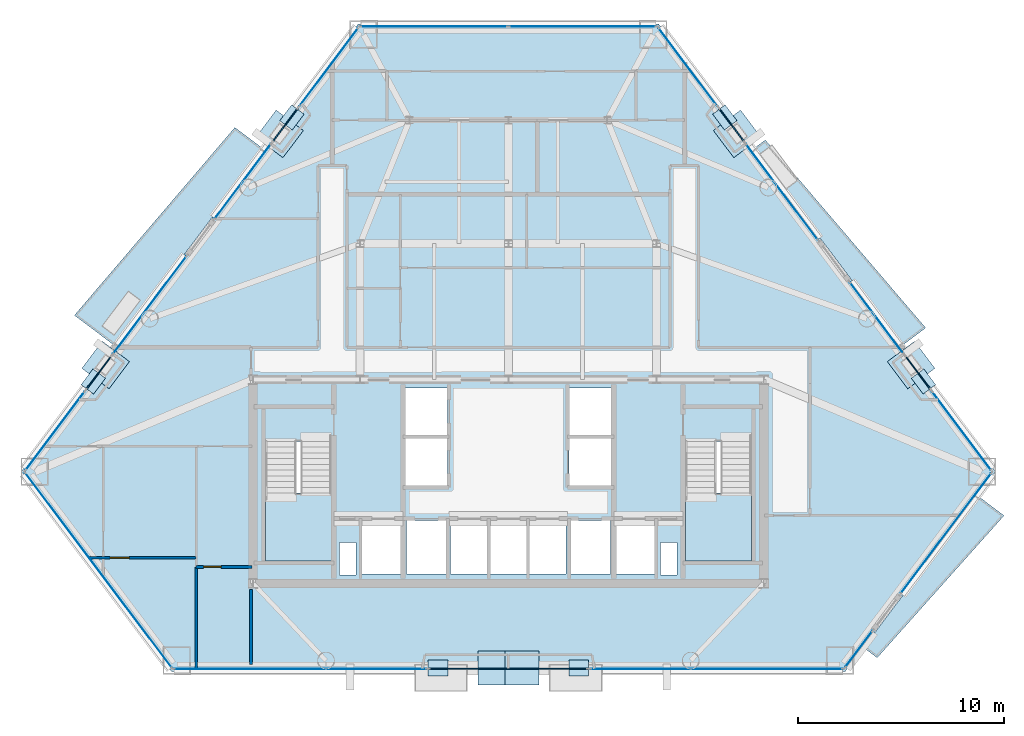
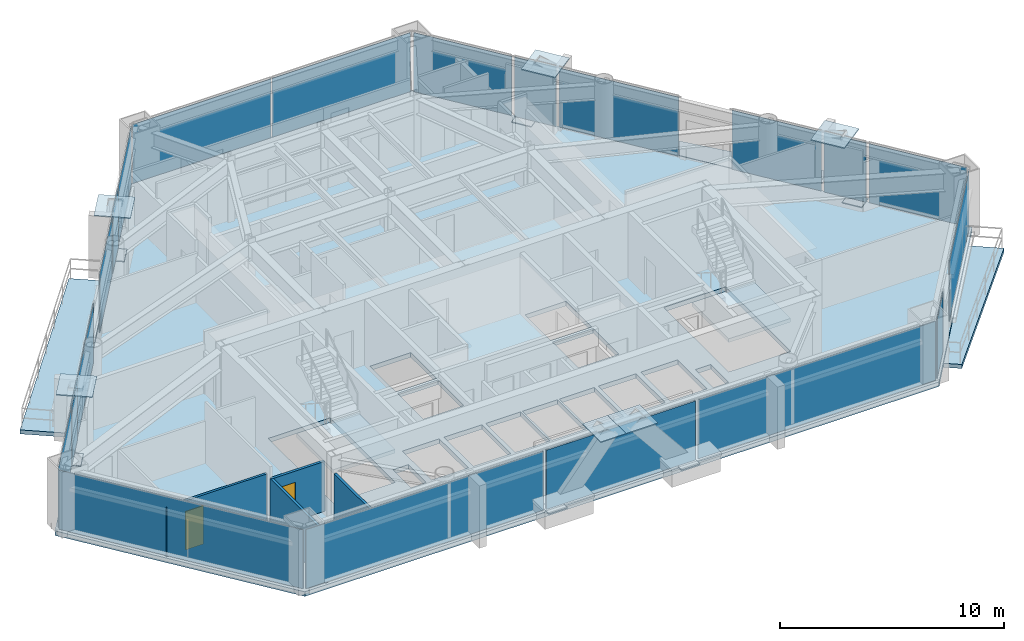
# One storey, part 5 of 11: 32 plates, 6 slabs, 4 walls, 2 doors, 2 openings, 21 elements without a shape of their own.
"""IFC4 building model written with IfcOpenShell, lengths in metres."""

from ifc_helpers import new_model, si_unit, direction, frame, frame_2d, origin, origin_2d, place, context, subcontext, project, spatial, polyline, rectangle, outline, extrude, source, transform, mapped, material, layer, layer_set, type_object, type_shapes, element, fill, aggregate, save


model = new_model("IFC4")

# Units and contexts
model_context = context("Model", 3, precision=1e-05, world=origin(), true_north=direction((0.0, 1.0)))
body_context = subcontext(model_context, "Body", "Model", "MODEL_VIEW")
ifc_project = project(units=[si_unit("LENGTHUNIT", "METRE"), si_unit("AREAUNIT", "SQUARE_METRE"), si_unit("VOLUMEUNIT", "CUBIC_METRE"), si_unit("PLANEANGLEUNIT", "RADIAN"), si_unit("MASSUNIT", "GRAM", prefix="KILO")], contexts=[model_context])

# Site, building, storey
site_placement = place(None, origin())
site = spatial("IfcSite", under=ifc_project, at=site_placement, CompositionType="ELEMENT")
building_placement = place(site_placement, origin())
building = spatial("IfcBuilding", under=site, at=building_placement, Name="Talgorran Terracotta Tower", CompositionType="ELEMENT")
storey_placement = place(building_placement, frame((0.0, 0.0, 72.0)))
storey = spatial("IfcBuildingStorey", under=building, at=storey_placement, Name="L18", CompositionType="ELEMENT", Elevation=72.0)

# Plates
ifc_material_1 = material(Name="Steel Grade 350 (350L0)", Category="steel")
ifc_layer_1 = layer(ifc_material_1, 0.0400390625, Name="PL_CAP_MN05")
ifc_layer_set_1 = layer_set([ifc_layer_1], Name="Steel Grade 350 (350L0)")
plate_type_1 = type_object("IfcPlateType", Name="PL_CAP_MN05", PredefinedType="USERDEFINED", material=ifc_layer_set_1)
for number, where, z_axis, x_axis, name in (
    (1, (-3.419189453125, -18.206787109375, -0.010009765625), (0.0, 0.0, 1.0), (1.0, 0.0, 0.0), "L18 Diagonal Frame End Cap SWF Bot"),
    (2, (3.419189453125, -18.206787109375, -0.010009765625), (0.0, 0.0, 1.0), (-1.0, 0.0, 0.0), "L18 Diagonal Frame End Cap SEF Bot"),
    (3, (20.15869140625, -4.291015625, -0.010009765625), (0.0, 0.0, 1.0), (-0.601257323772, 0.799055461536, 0.0), "L18 Diagonal Frame End Cap NEL Bot"),
    (4, (10.51123046875, 8.531005859375, -0.010009765625), (0.0, 0.0, 1.0), (0.601257323772, -0.799055461536, 0.0), "L18 Diagonal Frame End Cap NEU Bot"),
    (5, (-10.51123046875, 8.531005859375, -0.010009765625), (0.0, 0.0, 1.0), (-0.601257323772, -0.799055461536, 0.0), "L18 Diagonal Frame End Cap NWU Bot"),
    (6, (-20.15869140625, -4.291015625, -0.010009765625), (0.0, 0.0, 1.0), (0.601257323772, 0.799055461536, 0.0), "L18 Diagonal Frame End Cap NWL Bot"),
):
    element("IfcPlate", number, at=place(storey_placement, frame(where, z_axis=z_axis, x_axis=x_axis)), inside=storey, type_object=plate_type_1, Name=name, ObjectType="CAP PLATE", PredefinedType="USERDEFINED", context=body_context, shape_type="SweptSolid", body=[
        extrude(rectangle(XDim=0.9599609375, YDim=0.760009765625, at=origin_2d()), origin(), (0.0, 0.0, 1.0), 0.0400390625),
    ])
ifc_layer_2 = layer(ifc_material_1, 0.06005859375, Name="PL_NODE_MN01")
ifc_layer_set_2 = layer_set([ifc_layer_2], Name="Steel Grade 350 (350L0)")
plate_type_2 = type_object("IfcPlateType", Name="PL_NODE_MN01", PredefinedType="USERDEFINED", material=ifc_layer_set_2)
for number, where, z_axis, x_axis, name in (
    (7, (-0.6513671875, -18.206787109375, 3.31005859375), (0.0, 0.0, 1.0), (1.0, 0.0, 0.0), "L18 Diagonal Frame End Cap SWF Top"),
    (8, (0.6513671875, -18.206787109375, 3.31005859375), (0.0, 0.0, 1.0), (-1.0, 0.0, 0.0), "L18 Diagonal Frame End Cap SEF Top"),
    (9, (19.557861328125, -3.4921875, 3.31005859375), (0.0, 0.0, 1.0), (-0.601257323772, 0.799055461536, 0.0), "L18 Diagonal Frame End Cap NEL Top"),
    (10, (11.1123046875, 7.732421875, 3.31005859375), (0.0, 0.0, 1.0), (0.601257323772, -0.799055461536, 0.0), "L18 Diagonal Frame End Cap NEU Top"),
    (11, (-11.1123046875, 7.732421875, 3.31005859375), (0.0, 0.0, 1.0), (-0.601257323772, -0.799055461536, 0.0), "L18 Diagonal Frame End Cap NWU Top"),
    (12, (-19.557861328125, -3.4921875, 3.31005859375), (0.0, 0.0, 1.0), (0.601257323772, 0.799055461536, 0.0), "L18 Diagonal Frame End Cap NWL Top"),
):
    element("IfcPlate", number, at=place(storey_placement, frame(where, z_axis=z_axis, x_axis=x_axis)), inside=storey, type_object=plate_type_2, Name=name, ObjectType="NODE PLATE", PredefinedType="USERDEFINED", context=body_context, shape_type="SweptSolid", body=[
        extrude(rectangle(XDim=1.64990234375, YDim=1.64990234375, at=origin_2d()), origin(), (0.0, 0.0, 1.0), 0.06005859375),
    ])

# Slabs
ifc_material_2 = material(Name="Concrete C40/50", Category="concrete")
ifc_layer_3 = layer(ifc_material_2, 0.219970703125, Name="SL_BALCONY_220")
ifc_layer_set_3 = layer_set([ifc_layer_3], Name="Concrete C40/50")
slab_type_1 = type_object("IfcSlabType", Name="SL_BALCONY_220", PredefinedType="FLOOR", material=ifc_layer_set_3)
slab_1_placement = place(storey_placement, frame((0.0, 0.0, -0.219970703125)))
element("IfcSlab", 13, at=slab_1_placement, inside=storey, type_object=slab_type_1, Name="L18 Outdoor Wave Balcony BAL-NE", PredefinedType="FLOOR", context=body_context, shape_type="SweptSolid", body=[
    extrude(outline(polyline([(11.88720703125, 6.9931640625), (19.086669921875, -2.574951171875), (20.2646484375, -1.688720703125), (12.4736328125, 7.43408203125), (11.88720703125, 6.9931640625)])), origin(), (0.0, 0.0, 1.0), 0.219970703125),
])
slab_2_placement = place(storey_placement, frame((0.0, 0.0, -0.219970703125)))
element("IfcSlab", 14, at=slab_2_placement, inside=storey, type_object=slab_type_1, Name="L18 Outdoor Wave Balcony BAL-NW", PredefinedType="FLOOR", context=body_context, shape_type="SweptSolid", body=[
    extrude(outline(polyline([(-19.086669921875, -2.574951171875), (-11.88720703125, 6.9931640625), (-13.2822265625, 8.04248046875), (-21.0732421875, -1.080078125), (-19.086669921875, -2.574951171875)])), origin(), (0.0, 0.0, 1.0), 0.219970703125),
])
slab_3_placement = place(storey_placement, frame((0.0, 0.0, -0.219970703125)))
element("IfcSlab", 15, at=slab_3_placement, inside=storey, type_object=slab_type_1, Name="L18 Outdoor Wave Balcony BAL-SE", PredefinedType="FLOOR", context=body_context, shape_type="SweptSolid", body=[
    extrude(outline(polyline([(22.792724609375, -9.84521484375), (17.249267578125, -17.21240234375), (17.9091796875, -17.708984375), (24.069580078125, -10.805908203125), (22.792724609375, -9.84521484375)])), origin(), (0.0, 0.0, 1.0), 0.219970703125),
])

# Stair, slab
stair_type = type_object("IfcStairType", Name="ST_FIRE_SCISSOR", PredefinedType="HALF_TURN_STAIR", material=ifc_material_2)
stair_1_placement = place(storey_placement, origin())
stair_1 = element("IfcStair", 16, at=stair_1_placement, inside=storey, type_object=stair_type, Name="L18 West Protected Fire Stair ST-01", PredefinedType="HALF_TURN_STAIR")
ifc_layer_4 = layer(ifc_material_2, 0.199951171875, Name="SL_LANDING_200")
ifc_layer_set_4 = layer_set([ifc_layer_4], Name="Concrete C40/50")
slab_type_2 = type_object("IfcSlabType", Name="SL_LANDING_200", PredefinedType="LANDING", material=ifc_layer_set_4)
slab_4_placement = place(storey_placement, frame((0.0, 0.0, 1.60009765625)))
slab_4 = element("IfcSlab", 17, at=slab_4_placement, type_object=slab_type_2, Name="ST-01 landing 1", PredefinedType="LANDING", context=body_context, shape_type="SweptSolid", body=[
    extrude(outline(polyline([(-11.800048828125, -9.719970703125), (-11.800048828125, -13.0), (-8.60009765625, -13.0), (-8.60009765625, -9.719970703125), (-11.800048828125, -9.719970703125)])), origin(), (0.0, 0.0, 1.0), 0.199951171875),
])
aggregate(stair_1, [slab_4])

stair_2_placement = place(storey_placement, origin())
stair_2 = element("IfcStair", 18, at=stair_2_placement, inside=storey, type_object=stair_type, Name="L18 East Protected Fire Stair ST-02", PredefinedType="HALF_TURN_STAIR")
slab_5_placement = place(storey_placement, frame((0.0, 0.0, 1.60009765625)))
slab_5 = element("IfcSlab", 19, at=slab_5_placement, type_object=slab_type_2, Name="ST-02 landing 1", PredefinedType="LANDING", context=body_context, shape_type="SweptSolid", body=[
    extrude(outline(polyline([(8.60009765625, -9.719970703125), (8.60009765625, -13.0), (11.800048828125, -13.0), (11.800048828125, -9.719970703125), (8.60009765625, -9.719970703125)])), origin(), (0.0, 0.0, 1.0), 0.199951171875),
])
aggregate(stair_2, [slab_5])

# Slab
ifc_layer_5 = layer(ifc_material_2, 0.264892578125, Name="SL_TOWER_265")
ifc_layer_set_5 = layer_set([ifc_layer_5], Name="Concrete C40/50")
slab_type_3 = type_object("IfcSlabType", Name="SL_TOWER_265", PredefinedType="FLOOR", material=ifc_layer_set_5)
slab_6_placement = place(storey_placement, frame((0.0, 0.0, -0.25)))
element("IfcSlab", 20, at=slab_6_placement, inside=storey, type_object=slab_type_3, Name="Storey L18 Structural Floor Slab", PredefinedType="FLOOR", context=body_context, shape_type="SweptSolid", body=[
    extrude(outline(polyline([(-23.656005859375, -8.6728515625), (-16.362060546875, -18.36669921875), (16.362060546875, -18.36669921875), (23.656005859375, -8.6728515625), (7.2939453125, 13.07275390625), (-7.2939453125, 13.07275390625), (-23.656005859375, -8.6728515625)]), holes=[polyline([(-11.800048828125, -7.199951171875), (-11.800048828125, -13.0), (-8.60009765625, -13.0), (-8.60009765625, -7.199951171875), (-11.800048828125, -7.199951171875)]), polyline([(8.60009765625, -7.199951171875), (8.60009765625, -13.0), (11.800048828125, -13.0), (11.800048828125, -7.199951171875), (8.60009765625, -7.199951171875)]), polyline([(-7.10009765625, -13.64990234375), (-5.199951171875, -13.64990234375), (-5.199951171875, -11.050048828125), (-7.10009765625, -11.050048828125), (-7.10009765625, -13.64990234375)]), polyline([(5.199951171875, -13.64990234375), (7.10009765625, -13.64990234375), (7.10009765625, -11.050048828125), (5.199951171875, -11.050048828125), (5.199951171875, -13.64990234375)]), polyline([(3.0, -13.64990234375), (4.949951171875, -13.64990234375), (4.949951171875, -11.050048828125), (3.0, -11.050048828125), (3.0, -13.64990234375)]), polyline([(-4.949951171875, -13.64990234375), (-3.0, -13.64990234375), (-3.0, -11.050048828125), (-4.949951171875, -11.050048828125), (-4.949951171875, -13.64990234375)]), polyline([(-5.050048828125, -9.35009765625), (-2.949951171875, -9.35009765625), (-2.949951171875, -7.050048828125), (-5.050048828125, -7.050048828125), (-5.050048828125, -9.35009765625)]), polyline([(-5.050048828125, -6.89990234375), (-2.949951171875, -6.89990234375), (-2.949951171875, -4.60009765625), (-5.050048828125, -4.60009765625), (-5.050048828125, -6.89990234375)]), polyline([(2.949951171875, -9.35009765625), (5.050048828125, -9.35009765625), (5.050048828125, -7.050048828125), (2.949951171875, -7.050048828125), (2.949951171875, -9.35009765625)]), polyline([(2.949951171875, -6.89990234375), (5.050048828125, -6.89990234375), (5.050048828125, -4.60009765625), (2.949951171875, -4.60009765625), (2.949951171875, -6.89990234375)]), polyline([(-2.800048828125, -13.64990234375), (-1.0, -13.64990234375), (-1.0, -11.050048828125), (-2.800048828125, -11.050048828125), (-2.800048828125, -13.64990234375)]), polyline([(-0.89990234375, -13.64990234375), (0.89990234375, -13.64990234375), (0.89990234375, -11.050048828125), (-0.89990234375, -11.050048828125), (-0.89990234375, -13.64990234375)]), polyline([(1.0, -13.64990234375), (2.800048828125, -13.64990234375), (2.800048828125, -11.050048828125), (1.0, -11.050048828125), (1.0, -13.64990234375)]), polyline([(-8.199951171875, -13.699951171875), (-7.39990234375, -13.699951171875), (-7.39990234375, -12.10009765625), (-8.199951171875, -12.10009765625), (-8.199951171875, -13.699951171875)]), polyline([(7.39990234375, -13.699951171875), (8.199951171875, -13.699951171875), (8.199951171875, -12.10009765625), (7.39990234375, -12.10009765625), (7.39990234375, -13.699951171875)])]), origin(), (0.0, 0.0, 1.0), 0.25),
])

# Curtain wall, plate
ifc_material_3 = material(Name="Unitised Low-E Double Glazing", Category="glass")
ifc_layer_6 = layer(ifc_material_3, 0.199951171875, Name="CW_SYS2_RES_LOW")
ifc_layer_set_6 = layer_set([ifc_layer_6], Name="Unitised Low-E Double Glazing")
curtain_wall_type = type_object("IfcCurtainWallType", Name="CW_SYS2_RES_LOW", PredefinedType="NOTDEFINED", material=ifc_layer_set_6)
curtain_wall_1_placement = place(storey_placement, origin())
curtain_wall_1 = element("IfcCurtainWall", 21, at=curtain_wall_1_placement, inside=storey, type_object=curtain_wall_type, Name="CW-L18-F0", PredefinedType="NOTDEFINED")
ifc_material_4 = material(Name="Low-E Laminated Vision Glass", Category="glass")
ifc_layer_7 = layer(ifc_material_4, 0.028076171875, Name="PLT_VISION_28")
ifc_layer_set_7 = layer_set([ifc_layer_7], Name="Low-E Laminated Vision Glass")
plate_type_3 = type_object("IfcPlateType", Name="PLT_VISION_28", PredefinedType="CURTAIN_PANEL", material=ifc_layer_set_7)
shared_shape_1 = source(origin(), body_context, "Body", "SweptSolid", [
    extrude(rectangle(XDim=11.851318359375, YDim=0.028076171875, at=origin_2d()), origin(), (0.0, 0.0, 1.0), 3.219970703125),
])
plate_1_placement = place(storey_placement, frame((-19.904052734375, -13.459716796875, 0.06494140625), z_axis=(0.0, 0.0, 1.0), x_axis=(0.601242540556, -0.799066585102, 0.0)))
plate_1 = element("IfcPlate", 22, at=plate_1_placement, type_object=plate_type_3, Name="CW-L18-0 panel 1.1", PredefinedType="CURTAIN_PANEL", context=body_context, shape_type="MappedRepresentation", body=[
    mapped(shared_shape_1, transform((0.0, 0.0, 0.0), scale=1.0)),
])
aggregate(curtain_wall_1, [plate_1])

curtain_wall_2_placement = place(storey_placement, origin())
curtain_wall_2 = element("IfcCurtainWall", 23, at=curtain_wall_2_placement, inside=storey, type_object=curtain_wall_type, Name="CW-L18-F40B", PredefinedType="NOTDEFINED")
ifc_material_5 = material(Name="Terracotta Insulated Spandrel", Category="masonry")
ifc_layer_8 = layer(ifc_material_5, 0.06494140625, Name="PLT_SPANDREL_TERRA")
ifc_layer_set_8 = layer_set([ifc_layer_8], Name="Terracotta Insulated Spandrel")
plate_type_4 = type_object("IfcPlateType", Name="PLT_SPANDREL_TERRA", PredefinedType="SHEET", material=ifc_layer_set_8)
shared_shape_2 = source(origin(), body_context, "Body", "SweptSolid", [
    extrude(rectangle(XDim=2.02294921875, YDim=0.06494140625, at=origin_2d()), origin(), (0.0, 0.0, 1.0), 3.219970703125),
])
plate_2_placement = place(storey_placement, frame((19.89013671875, -3.86767578125, 0.06494140625), z_axis=(0.0, 0.0, 1.0), x_axis=(-0.601247746727, 0.79906266779, 0.0)))
plate_2 = element("IfcPlate", 24, at=plate_2_placement, type_object=plate_type_4, Name="CW-L18-40B panel 1.1", PredefinedType="CURTAIN_PANEL", context=body_context, shape_type="MappedRepresentation", body=[
    mapped(shared_shape_2, transform((0.0, 0.0, 0.0), scale=1.0)),
])
aggregate(curtain_wall_2, [plate_2])

curtain_wall_3_placement = place(storey_placement, origin())
curtain_wall_3 = element("IfcCurtainWall", 25, at=curtain_wall_3_placement, inside=storey, type_object=curtain_wall_type, Name="CW-L18-F41B", PredefinedType="NOTDEFINED")
plate_3_placement = place(storey_placement, frame((10.84375, 8.155517578125, 0.06494140625), z_axis=(0.0, 0.0, 1.0), x_axis=(-0.601247746727, 0.79906266779, 0.0)))
plate_3 = element("IfcPlate", 26, at=plate_3_placement, type_object=plate_type_4, Name="CW-L18-41B panel 1.1", PredefinedType="CURTAIN_PANEL", context=body_context, shape_type="MappedRepresentation", body=[
    mapped(shared_shape_2, transform((0.0, 0.0, 0.0), scale=1.0)),
])
aggregate(curtain_wall_3, [plate_3])

curtain_wall_4_placement = place(storey_placement, origin())
curtain_wall_4 = element("IfcCurtainWall", 27, at=curtain_wall_4_placement, inside=storey, type_object=curtain_wall_type, Name="CW-L18-F60B", PredefinedType="NOTDEFINED")
plate_4_placement = place(storey_placement, frame((-10.843505859375, 8.155517578125, 0.06494140625), z_axis=(0.0, 0.0, 1.0), x_axis=(-0.601218089449, -0.799084982289, 0.0)))
plate_4 = element("IfcPlate", 28, at=plate_4_placement, type_object=plate_type_4, Name="CW-L18-60B panel 1.1", PredefinedType="CURTAIN_PANEL", context=body_context, shape_type="MappedRepresentation", body=[
    mapped(shared_shape_2, transform((0.0, 0.0, 0.0), scale=1.0)),
])
aggregate(curtain_wall_4, [plate_4])

curtain_wall_5_placement = place(storey_placement, origin())
curtain_wall_5 = element("IfcCurtainWall", 29, at=curtain_wall_5_placement, inside=storey, type_object=curtain_wall_type, Name="CW-L18-F61B", PredefinedType="NOTDEFINED")
plate_5_placement = place(storey_placement, frame((-19.89013671875, -3.86767578125, 0.06494140625), z_axis=(0.0, 0.0, 1.0), x_axis=(-0.601247746727, -0.79906266779, 0.0)))
plate_5 = element("IfcPlate", 30, at=plate_5_placement, type_object=plate_type_4, Name="CW-L18-61B panel 1.1", PredefinedType="CURTAIN_PANEL", context=body_context, shape_type="MappedRepresentation", body=[
    mapped(shared_shape_2, transform((0.0, 0.0, 0.0), scale=1.0)),
])
aggregate(curtain_wall_5, [plate_5])

# Curtain wall, plates
curtain_wall_6_placement = place(storey_placement, origin())
curtain_wall_6 = element("IfcCurtainWall", 31, at=curtain_wall_6_placement, inside=storey, type_object=curtain_wall_type, Name="CW-L18-F4", PredefinedType="NOTDEFINED")
shared_shape_3 = source(origin(), body_context, "Body", "SweptSolid", [
    extrude(rectangle(XDim=7.13671875, YDim=0.028076171875, at=origin_2d()), origin(), (0.0, 0.0, 1.0), 3.219970703125),
])
plate_6_placement = place(storey_placement, frame((3.600830078125, 12.952880859375, 0.06494140625), z_axis=(0.0, 0.0, 1.0), x_axis=(-1.0, 0.0, 0.0)))
plate_6 = element("IfcPlate", 32, at=plate_6_placement, type_object=plate_type_3, Name="CW-L18-4 panel 1.1", PredefinedType="CURTAIN_PANEL", context=body_context, shape_type="MappedRepresentation", body=[
    mapped(shared_shape_3, transform((0.0, 0.0, 0.0), scale=1.0)),
])
plate_7_placement = place(storey_placement, frame((-3.600830078125, 12.952880859375, 0.06494140625), z_axis=(0.0, 0.0, 1.0), x_axis=(-1.0, 0.0, 0.0)))
plate_7 = element("IfcPlate", 33, at=plate_7_placement, type_object=plate_type_3, Name="CW-L18-4 panel 2.1", PredefinedType="CURTAIN_PANEL", context=body_context, shape_type="MappedRepresentation", body=[
    mapped(shared_shape_3, transform((0.0, 0.0, 0.0), scale=1.0)),
])
aggregate(curtain_wall_6, [plate_6, plate_7])

# Curtain wall, plate
curtain_wall_7_placement = place(storey_placement, origin())
curtain_wall_7 = element("IfcCurtainWall", 34, at=curtain_wall_7_placement, inside=storey, type_object=curtain_wall_type, Name="CW-L18-F1", PredefinedType="NOTDEFINED")
shared_shape_4 = source(origin(), body_context, "Body", "SweptSolid", [
    extrude(rectangle(XDim=12.248779296875, YDim=0.028076171875, at=origin_2d()), origin(), (0.0, 0.0, 1.0), 3.219970703125),
])
plate_8_placement = place(storey_placement, frame((-10.11279296875, -18.24658203125, 0.06494140625), z_axis=(0.0, 0.0, 1.0), x_axis=(1.0, 0.0, 0.0)))
plate_8 = element("IfcPlate", 35, at=plate_8_placement, type_object=plate_type_3, Name="CW-L18-1 panel 1.1", PredefinedType="CURTAIN_PANEL", context=body_context, shape_type="MappedRepresentation", body=[
    mapped(shared_shape_4, transform((0.0, 0.0, 0.0), scale=1.0)),
])
aggregate(curtain_wall_7, [plate_8])

curtain_wall_8_placement = place(storey_placement, origin())
curtain_wall_8 = element("IfcCurtainWall", 36, at=curtain_wall_8_placement, inside=storey, type_object=curtain_wall_type, Name="CW-L18-F1C", PredefinedType="NOTDEFINED")
plate_9_placement = place(storey_placement, frame((10.11279296875, -18.24658203125, 0.06494140625), z_axis=(0.0, 0.0, 1.0), x_axis=(1.0, 0.0, 0.0)))
plate_9 = element("IfcPlate", 37, at=plate_9_placement, type_object=plate_type_3, Name="CW-L18-1C panel 1.1", PredefinedType="CURTAIN_PANEL", context=body_context, shape_type="MappedRepresentation", body=[
    mapped(shared_shape_4, transform((0.0, 0.0, 0.0), scale=1.0)),
])
aggregate(curtain_wall_8, [plate_9])

curtain_wall_9_placement = place(storey_placement, origin())
curtain_wall_9 = element("IfcCurtainWall", 38, at=curtain_wall_9_placement, inside=storey, type_object=curtain_wall_type, Name="CW-L18-F1B", PredefinedType="NOTDEFINED")
shared_shape_5 = source(origin(), body_context, "Body", "SweptSolid", [
    extrude(rectangle(XDim=7.696533203125, YDim=0.06494140625, at=origin_2d()), origin(), (0.0, 0.0, 1.0), 3.219970703125),
])
type_shapes(plate_type_4, [shared_shape_2, shared_shape_5])
plate_10_placement = place(storey_placement, frame((0.0, -18.24658203125, 0.06494140625), z_axis=(0.0, 0.0, 1.0), x_axis=(1.0, 0.0, 0.0)))
plate_10 = element("IfcPlate", 39, at=plate_10_placement, type_object=plate_type_4, Name="CW-L18-1B panel 1.1", PredefinedType="CURTAIN_PANEL", context=body_context, shape_type="MappedRepresentation", body=[
    mapped(shared_shape_5, transform((0.0, 0.0, 0.0), scale=1.0)),
])
aggregate(curtain_wall_9, [plate_10])

curtain_wall_10_placement = place(storey_placement, origin())
curtain_wall_10 = element("IfcCurtainWall", 40, at=curtain_wall_10_placement, inside=storey, type_object=curtain_wall_type, Name="CW-L18-F30", PredefinedType="NOTDEFINED")
shared_shape_6 = source(origin(), body_context, "Body", "SweptSolid", [
    extrude(rectangle(XDim=2.18359375, YDim=0.028076171875, at=origin_2d()), origin(), (0.0, 0.0, 1.0), 3.219970703125),
])
plate_11_placement = place(storey_placement, frame((17.021484375, -17.290283203125, 0.06494140625), z_axis=(0.0, 0.0, 1.0), x_axis=(0.601257965601, 0.799054978585, 0.0)))
plate_11 = element("IfcPlate", 41, at=plate_11_placement, type_object=plate_type_3, Name="CW-L18-30 panel 1.1", PredefinedType="CURTAIN_PANEL", context=body_context, shape_type="MappedRepresentation", body=[
    mapped(shared_shape_6, transform((0.0, 0.0, 0.0), scale=1.0)),
])
aggregate(curtain_wall_10, [plate_11])

curtain_wall_11_placement = place(storey_placement, origin())
curtain_wall_11 = element("IfcCurtainWall", 42, at=curtain_wall_11_placement, inside=storey, type_object=curtain_wall_type, Name="CW-L18-F31", PredefinedType="NOTDEFINED")
shared_shape_7 = source(origin(), body_context, "Body", "SweptSolid", [
    extrude(rectangle(XDim=7.2978515625, YDim=0.028076171875, at=origin_2d()), origin(), (0.0, 0.0, 1.0), 3.219970703125),
])
plate_12_placement = place(storey_placement, frame((21.248779296875, -11.67236328125, 0.06494140625), z_axis=(0.0, 0.0, 1.0), x_axis=(0.601250772116, 0.799060391354, 0.0)))
plate_12 = element("IfcPlate", 43, at=plate_12_placement, type_object=plate_type_3, Name="CW-L18-31 panel 1.1", PredefinedType="CURTAIN_PANEL", context=body_context, shape_type="MappedRepresentation", body=[
    mapped(shared_shape_7, transform((0.0, 0.0, 0.0), scale=1.0)),
])
aggregate(curtain_wall_11, [plate_12])

curtain_wall_12_placement = place(storey_placement, origin())
curtain_wall_12 = element("IfcCurtainWall", 44, at=curtain_wall_12_placement, inside=storey, type_object=curtain_wall_type, Name="CW-L18-F40", PredefinedType="NOTDEFINED")
shared_shape_8 = source(origin(), body_context, "Body", "SweptSolid", [
    extrude(rectangle(XDim=4.757080078125, YDim=0.028076171875, at=origin_2d()), origin(), (0.0, 0.0, 1.0), 3.219970703125),
])
plate_13_placement = place(storey_placement, frame((22.0126953125, -6.688232421875, 0.06494140625), z_axis=(0.0, 0.0, 1.0), x_axis=(-0.601240104615, 0.799068417973, 0.0)))
plate_13 = element("IfcPlate", 45, at=plate_13_placement, type_object=plate_type_3, Name="CW-L18-40 panel 1.1", PredefinedType="CURTAIN_PANEL", context=body_context, shape_type="MappedRepresentation", body=[
    mapped(shared_shape_8, transform((0.0, 0.0, 0.0), scale=1.0)),
])
aggregate(curtain_wall_12, [plate_13])

curtain_wall_13_placement = place(storey_placement, origin())
curtain_wall_13 = element("IfcCurtainWall", 46, at=curtain_wall_13_placement, inside=storey, type_object=curtain_wall_type, Name="CW-L18-F61C", PredefinedType="NOTDEFINED")
plate_14_placement = place(storey_placement, frame((-22.0126953125, -6.688232421875, 0.06494140625), z_axis=(0.0, 0.0, 1.0), x_axis=(-0.601249935411, -0.799061020929, 0.0)))
plate_14 = element("IfcPlate", 47, at=plate_14_placement, type_object=plate_type_3, Name="CW-L18-61C panel 1.1", PredefinedType="CURTAIN_PANEL", context=body_context, shape_type="MappedRepresentation", body=[
    mapped(shared_shape_8, transform((0.0, 0.0, 0.0), scale=1.0)),
])
aggregate(curtain_wall_13, [plate_14])

curtain_wall_14_placement = place(storey_placement, origin())
curtain_wall_14 = element("IfcCurtainWall", 48, at=curtain_wall_14_placement, inside=storey, type_object=curtain_wall_type, Name="CW-L18-F40C", PredefinedType="NOTDEFINED")
shared_shape_9 = source(origin(), body_context, "Body", "SweptSolid", [
    extrude(rectangle(XDim=4.34326171875, YDim=0.028076171875, at=origin_2d()), origin(), (0.0, 0.0, 1.0), 3.219970703125),
])
plate_15_placement = place(storey_placement, frame((17.892333984375, -1.212158203125, 0.06494140625), z_axis=(0.0, 0.0, 1.0), x_axis=(-0.601244013149, 0.799065477074, 0.0)))
plate_15 = element("IfcPlate", 49, at=plate_15_placement, type_object=plate_type_3, Name="CW-L18-40C panel 1.1", PredefinedType="CURTAIN_PANEL", context=body_context, shape_type="MappedRepresentation", body=[
    mapped(shared_shape_9, transform((0.0, 0.0, 0.0), scale=1.0)),
])
aggregate(curtain_wall_14, [plate_15])

curtain_wall_15_placement = place(storey_placement, origin())
curtain_wall_15 = element("IfcCurtainWall", 50, at=curtain_wall_15_placement, inside=storey, type_object=curtain_wall_type, Name="CW-L18-F41", PredefinedType="NOTDEFINED")
shared_shape_10 = source(origin(), body_context, "Body", "SweptSolid", [
    extrude(rectangle(XDim=5.810302734375, YDim=0.028076171875, at=origin_2d()), origin(), (0.0, 0.0, 1.0), 3.219970703125),
])
plate_16_placement = place(storey_placement, frame((13.28271484375, 4.9140625, 0.06494140625), z_axis=(0.0, 0.0, 1.0), x_axis=(-0.601246340356, 0.799063726, 0.0)))
plate_16 = element("IfcPlate", 51, at=plate_16_placement, type_object=plate_type_3, Name="CW-L18-41 panel 1.1", PredefinedType="CURTAIN_PANEL", context=body_context, shape_type="MappedRepresentation", body=[
    mapped(shared_shape_10, transform((0.0, 0.0, 0.0), scale=1.0)),
])
aggregate(curtain_wall_15, [plate_16])

curtain_wall_16_placement = place(storey_placement, origin())
curtain_wall_16 = element("IfcCurtainWall", 52, at=curtain_wall_16_placement, inside=storey, type_object=curtain_wall_type, Name="CW-L18-F41C", PredefinedType="NOTDEFINED")
shared_shape_11 = source(origin(), body_context, "Body", "SweptSolid", [
    extrude(rectangle(XDim=4.7470703125, YDim=0.028076171875, at=origin_2d()), origin(), (0.0, 0.0, 1.0), 3.219970703125),
])
plate_17_placement = place(storey_placement, frame((8.724365234375, 10.972412109375, 0.06494140625), z_axis=(0.0, 0.0, 1.0), x_axis=(-0.601252496831, 0.799059093593, 0.0)))
plate_17 = element("IfcPlate", 53, at=plate_17_placement, type_object=plate_type_3, Name="CW-L18-41C panel 1.1", PredefinedType="CURTAIN_PANEL", context=body_context, shape_type="MappedRepresentation", body=[
    mapped(shared_shape_11, transform((0.0, 0.0, 0.0), scale=1.0)),
])
aggregate(curtain_wall_16, [plate_17])

curtain_wall_17_placement = place(storey_placement, origin())
curtain_wall_17 = element("IfcCurtainWall", 54, at=curtain_wall_17_placement, inside=storey, type_object=curtain_wall_type, Name="CW-L18-F60", PredefinedType="NOTDEFINED")
shared_shape_12 = source(origin(), body_context, "Body", "SweptSolid", [
    extrude(rectangle(XDim=4.746826171875, YDim=0.028076171875, at=origin_2d()), origin(), (0.0, 0.0, 1.0), 3.219970703125),
])
plate_18_placement = place(storey_placement, frame((-8.72412109375, 10.972412109375, 0.06494140625), z_axis=(0.0, 0.0, 1.0), x_axis=(-0.601239404577, -0.7990689447, 0.0)))
plate_18 = element("IfcPlate", 55, at=plate_18_placement, type_object=plate_type_3, Name="CW-L18-60 panel 1.1", PredefinedType="CURTAIN_PANEL", context=body_context, shape_type="MappedRepresentation", body=[
    mapped(shared_shape_12, transform((0.0, 0.0, 0.0), scale=1.0)),
])
aggregate(curtain_wall_17, [plate_18])

curtain_wall_18_placement = place(storey_placement, origin())
curtain_wall_18 = element("IfcCurtainWall", 56, at=curtain_wall_18_placement, inside=storey, type_object=curtain_wall_type, Name="CW-L18-F60C", PredefinedType="NOTDEFINED")
shared_shape_13 = source(origin(), body_context, "Body", "SweptSolid", [
    extrude(rectangle(XDim=4.529052734375, YDim=0.028076171875, at=origin_2d()), origin(), (0.0, 0.0, 1.0), 3.219970703125),
])
plate_19_placement = place(storey_placement, frame((-12.8974609375, 5.426025390625, 0.06494140625), z_axis=(0.0, 0.0, 1.0), x_axis=(-0.601249330367, -0.799061476191, 0.0)))
plate_19 = element("IfcPlate", 57, at=plate_19_placement, type_object=plate_type_3, Name="CW-L18-60C panel 1.1", PredefinedType="CURTAIN_PANEL", context=body_context, shape_type="MappedRepresentation", body=[
    mapped(shared_shape_13, transform((0.0, 0.0, 0.0), scale=1.0)),
])
aggregate(curtain_wall_18, [plate_19])

curtain_wall_19_placement = place(storey_placement, origin())
curtain_wall_19 = element("IfcCurtainWall", 58, at=curtain_wall_19_placement, inside=storey, type_object=curtain_wall_type, Name="CW-L18-F61", PredefinedType="NOTDEFINED")
shared_shape_14 = source(origin(), body_context, "Body", "SweptSolid", [
    extrude(rectangle(XDim=5.924560546875, YDim=0.028076171875, at=origin_2d()), origin(), (0.0, 0.0, 1.0), 3.219970703125),
])
type_shapes(plate_type_3, [shared_shape_1, shared_shape_3, shared_shape_4, shared_shape_6, shared_shape_7, shared_shape_8, shared_shape_9, shared_shape_10, shared_shape_11, shared_shape_12, shared_shape_13, shared_shape_14])
plate_20_placement = place(storey_placement, frame((-17.416748046875, -0.580322265625, 0.06494140625), z_axis=(0.0, 0.0, 1.0), x_axis=(-0.601246589409, -0.799063538603, 0.0)))
plate_20 = element("IfcPlate", 59, at=plate_20_placement, type_object=plate_type_3, Name="CW-L18-61 panel 1.1", PredefinedType="CURTAIN_PANEL", context=body_context, shape_type="MappedRepresentation", body=[
    mapped(shared_shape_14, transform((0.0, 0.0, 0.0), scale=1.0)),
])
aggregate(curtain_wall_19, [plate_20])

# Wall, opening, door
ifc_material_6 = material(Name="Insulated Steel Stud Plasterboard", Category="steel")
ifc_layer_9 = layer(ifc_material_6, 0.1201171875, Name="WT_PART_120")
ifc_layer_set_9 = layer_set([ifc_layer_9], Name="Insulated Steel Stud Plasterboard")
wall_type_1 = type_object("IfcWallType", Name="WT_PART_120", PredefinedType="PARTITIONING", material=ifc_layer_set_9)
wall_1_placement = place(storey_placement, frame((-20.355224609375, -12.860107421875, 0.0), z_axis=(0.0, 0.0, 1.0), x_axis=(1.0, 0.0, 0.0)))
wall_1 = element("IfcWall", 60, at=wall_1_placement, inside=storey, type_object=wall_type_1, Name="WL-L18-W-L18-R31", PredefinedType="PARTITIONING", context=body_context, shape_type="SweptSolid", body=[
    extrude(rectangle(XDim=5.1953125, YDim=0.1201171875, at=frame_2d((2.59765625, 0.0))), origin(), (0.0, 0.0, 1.0), 2.71337890625),
])
opening_1_placement = place(wall_1_placement, frame((1.013671875, 0.0, 0.0)))
opening_1 = element("IfcOpeningElement", 61, at=opening_1_placement, cuts=wall_1, Name="Opening DR-L18-R03", PredefinedType="OPENING", context=body_context, shape_type="SweptSolid", body=[
    extrude(rectangle(XDim=0.925921875, YDim=2.10409765625, at=frame_2d((0.4599609375, 1.052001953125))), frame((0.0, 0.070068359375, 0.0), z_axis=(0.0, -1.0, 0.0), x_axis=(1.0, 0.0, 0.0)), (0.0, 0.0, 1.0), 0.14013671875),
])
ifc_material_7 = material(Name="Solid-Core Painted Timber", Category="wood")
door_type_1 = type_object("IfcDoorType", Name="DT_INT_920", OperationType="NOTDEFINED", PredefinedType="DOOR", material=ifc_material_7)
door_1_placement = place(opening_1_placement, origin())
door_1 = element("IfcDoor", 62, at=door_1_placement, inside=storey, type_object=door_type_1, Name="DR-L18-R03", OperationType="SINGLE_SWING_LEFT", OverallHeight=2.10009765625, OverallWidth=0.919921875, PredefinedType="DOOR", context=body_context, shape_type="SweptSolid", body=[
    extrude(rectangle(XDim=0.919921875, YDim=2.10009765625, at=frame_2d((0.4599609375, 1.050048828125))), frame((0.0, 0.02490234375, 0.0), z_axis=(0.0, -1.0, 0.0), x_axis=(1.0, 0.0, 0.0)), (0.0, 0.0, 1.0), 0.050048828125),
])
fill(opening_1, door_1)

# Wall
ifc_material_8 = material(Name="Moisture-Resistant Stud Wall")
ifc_layer_10 = layer(ifc_material_8, 0.135009765625, Name="WT_PART_135")
ifc_layer_set_10 = layer_set([ifc_layer_10], Name="Moisture-Resistant Stud Wall")
wall_type_2 = type_object("IfcWallType", Name="WT_PART_135", PredefinedType="PARTITIONING", material=ifc_layer_set_10)
wall_2_placement = place(storey_placement, frame((-15.159912109375, -18.24658203125, 0.0), z_axis=(0.0, 0.0, 1.0), x_axis=(0.0, 1.0, 0.0)))
element("IfcWall", 63, at=wall_2_placement, inside=storey, type_object=wall_type_2, Name="WL-L18-W-L18-R27", PredefinedType="PARTITIONING", context=body_context, shape_type="SweptSolid", body=[
    extrude(rectangle(XDim=4.946533203125, YDim=0.135009765625, at=frame_2d((2.47314453125, 0.0))), origin(), (0.0, 0.0, 1.0), 2.71337890625),
])

# Wall, opening, door
wall_3_placement = place(storey_placement, frame((-15.159912109375, -13.300048828125, 0.0), z_axis=(0.0, 0.0, 1.0), x_axis=(1.0, 0.0, 0.0)))
wall_3 = element("IfcWall", 64, at=wall_3_placement, inside=storey, type_object=wall_type_2, Name="WL-L18-W-L18-R26", PredefinedType="PARTITIONING", context=body_context, shape_type="SweptSolid", body=[
    extrude(rectangle(XDim=2.719970703125, YDim=0.135009765625, at=frame_2d((1.35986328125, 0.0))), origin(), (0.0, 0.0, 1.0), 2.71337890625),
])
opening_2_placement = place(wall_3_placement, frame((0.35498046875, 0.0, 0.0)))
opening_2 = element("IfcOpeningElement", 65, at=opening_2_placement, cuts=wall_3, Name="Opening DR-L18-R02", PredefinedType="OPENING", context=body_context, shape_type="SweptSolid", body=[
    extrude(rectangle(XDim=0.85609765625, YDim=2.10409765625, at=frame_2d((0.425048828125, 1.052001953125))), frame((0.0, 0.07763671875, 0.0), z_axis=(0.0, -1.0, 0.0), x_axis=(1.0, 0.0, 0.0)), (0.0, 0.0, 1.0), 0.155029296875),
])
ifc_material_9 = material(Name="Moisture-Resistant Solid Timber", Category="wood")
door_type_2 = type_object("IfcDoorType", Name="DT_INT_850", OperationType="NOTDEFINED", PredefinedType="DOOR", material=ifc_material_9)
door_2_placement = place(opening_2_placement, origin())
door_2 = element("IfcDoor", 66, at=door_2_placement, inside=storey, type_object=door_type_2, Name="DR-L18-R02", OperationType="SINGLE_SWING_RIGHT", OverallHeight=2.10009765625, OverallWidth=0.85009765625, PredefinedType="DOOR", context=body_context, shape_type="SweptSolid", body=[
    extrude(rectangle(XDim=0.85009765625, YDim=2.10009765625, at=frame_2d((0.425048828125, 1.050048828125))), frame((0.0, 0.02490234375, 0.0), z_axis=(0.0, -1.0, 0.0), x_axis=(1.0, 0.0, 0.0)), (0.0, 0.0, 1.0), 0.050048828125),
])
fill(opening_2, door_2)

# Wall
wall_4_placement = place(storey_placement, frame((-12.5, -14.39990234375, 0.0), z_axis=(0.0, 0.0, 1.0), x_axis=(0.0, -1.0, 0.0)))
element("IfcWall", 67, at=wall_4_placement, inside=storey, type_object=wall_type_2, Name="WL-L18-W-L18-R64", PredefinedType="PARTITIONING", context=body_context, shape_type="SweptSolid", body=[
    extrude(rectangle(XDim=3.626708984375, YDim=0.135009765625, at=frame_2d((1.8134765625, 0.0))), origin(), (0.0, 0.0, 1.0), 2.71337890625),
])

save(model, "model.ifc")
